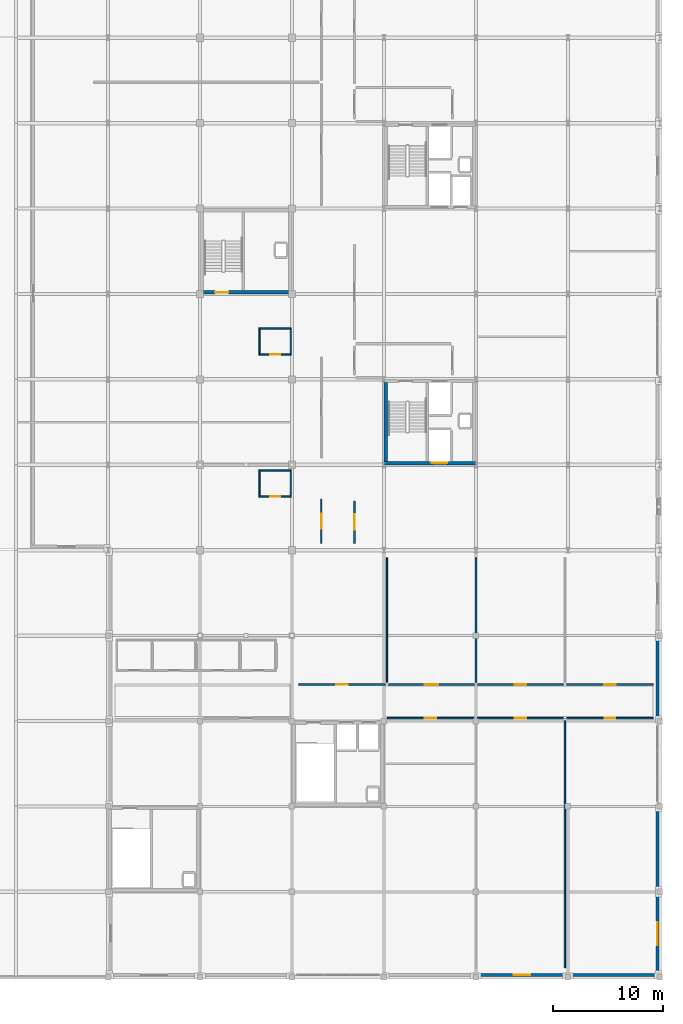
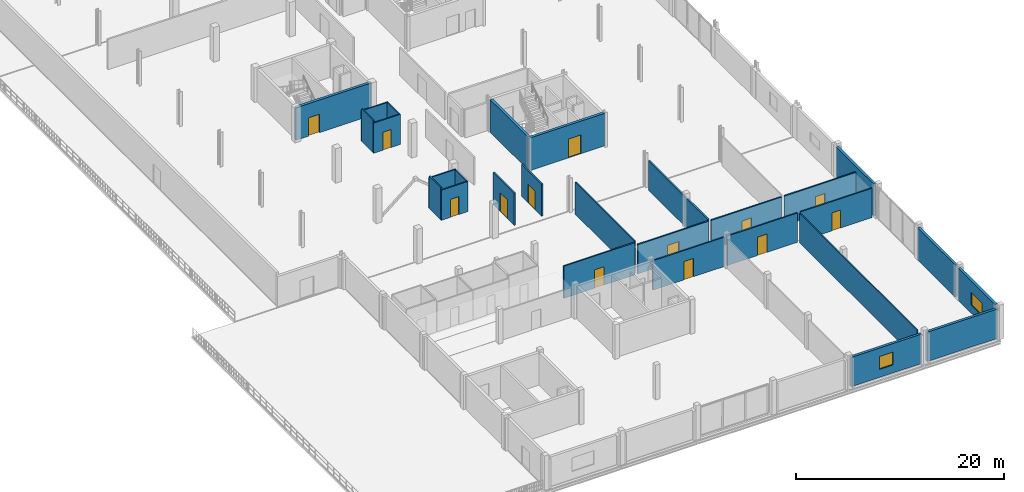
# One storey, part 29 of 41: 28 walls, 13 doors, 2 windows, 15 openings.
"""IFC4 building model written with IfcOpenShell, lengths in metres."""

from ifc_helpers import new_model, si_unit, direction, frame, frame_2d, origin, place, context, subcontext, project, spatial, rectangle, extrude, material, layer, layer_set, type_object, element, fill, save


model = new_model("IFC4")

# Units and contexts
model_context = context("Model", 3, precision=1e-05, world=origin(), true_north=direction((0.0, 1.0)))
body_context = subcontext(model_context, "Body", "Model", "MODEL_VIEW")
ifc_project = project(units=[si_unit("LENGTHUNIT", "METRE"), si_unit("AREAUNIT", "SQUARE_METRE"), si_unit("VOLUMEUNIT", "CUBIC_METRE"), si_unit("PLANEANGLEUNIT", "RADIAN"), si_unit("MASSUNIT", "GRAM", prefix="KILO")], contexts=[model_context])

# Site, building, storey
site_placement = place(None, origin())
site = spatial("IfcSite", under=ifc_project, at=site_placement, CompositionType="ELEMENT")
building_placement = place(site_placement, origin())
building = spatial("IfcBuilding", under=site, at=building_placement, Name="Nabrawat Pavilion Hospital", CompositionType="ELEMENT")
storey_placement = place(building_placement, frame((0.0, 0.0, 18.89990234375)))
storey = spatial("IfcBuildingStorey", under=building, at=storey_placement, Name="L04", CompositionType="ELEMENT", Elevation=18.89990234375)

# Wall
ifc_material_1 = material(Name="Epoxy-Coated Gypsum on Stud", Category="gypsum")
ifc_layer_1 = layer(ifc_material_1, 0.169921875, Name="Epoxy-Coated Gypsum on Stud")
ifc_layer_set_1 = layer_set([ifc_layer_1], Name="Epoxy-Coated Gypsum on Stud")
wall_type_1 = type_object("IfcWallType", Name="Biosafety Laboratory Chemical Wall 170", PredefinedType="PARTITIONING", material=ifc_layer_set_1)
wall_1_placement = place(storey_placement, frame((176.39990234375, 26.9599609375, 0.0), z_axis=(0.0, 0.0, 1.0), x_axis=(0.0, 1.0, 0.0)))
element("IfcWall", 1, at=wall_1_placement, inside=storey, type_object=wall_type_1, Name="L04 Point-of-Care Rapid Diagnostics Lab L04-06 Dividing Partition", PredefinedType="PARTITIONING", context=body_context, shape_type="SweptSolid", body=[
    extrude(rectangle(XDim=11.35009765625, YDim=0.169921875, at=frame_2d((5.675048828125, 0.0))), origin(), (0.0, 0.0, 1.0), 3.440185546875),
])

# Wall, opening, door
ifc_material_2 = material(Name="Gypsum Fireboard on Steel Stud", Category="steel")
ifc_layer_2 = layer(ifc_material_2, 0.14990234375, Name="Gypsum Fireboard on Steel Stud")
ifc_layer_set_2 = layer_set([ifc_layer_2], Name="Gypsum Fireboard on Steel Stud")
wall_type_2 = type_object("IfcWallType", Name="Clinical Corridor Smoke-Barrier Wall 150", PredefinedType="PARTITIONING", material=ifc_layer_set_2)
wall_2_placement = place(storey_placement, frame((168.320068359375, 23.659912109375, 0.0), z_axis=(0.0, 0.0, 1.0), x_axis=(1.0, 0.0, 0.0)))
wall_2 = element("IfcWall", 2, at=wall_2_placement, inside=storey, type_object=wall_type_2, Name="L04 Outpatient Clinic Women Wellness Suite L04-02 Front Partition", PredefinedType="PARTITIONING", context=body_context, shape_type="SweptSolid", body=[
    extrude(rectangle(XDim=7.89990234375, YDim=0.14990234375, at=frame_2d((3.949951171875, 0.0))), origin(), (0.0, 0.0, 1.0), 3.440185546875),
])
opening_1_placement = place(wall_2_placement, frame((3.425048828125, 0.0, 0.0)))
opening_1 = element("IfcOpeningElement", 3, at=opening_1_placement, cuts=wall_2, Name="Opening D-OPC-R", PredefinedType="OPENING", context=body_context, shape_type="SweptSolid", body=[
    extrude(rectangle(XDim=1.050048828125, YDim=2.14990234375, at=frame_2d((0.52490234375, 1.074951171875))), frame((0.0, 0.0849609375, 0.0), z_axis=(0.0, -1.0, 0.0), x_axis=(1.0, 0.0, 0.0)), (0.0, 0.0, 1.0), 0.169921875),
])
ifc_material_3 = material(Name="Stainless-Clad Acoustic Timber and Vision Glass", Category="wood")
door_type_1 = type_object("IfcDoorType", Name="Outpatient Clinic Consultation Door R 1050x2150", OperationType="NOTDEFINED", PredefinedType="DOOR", material=ifc_material_3)
door_1_placement = place(opening_1_placement, origin())
door_1 = element("IfcDoor", 4, at=door_1_placement, inside=storey, type_object=door_type_1, Name="Outpatient Clinic Women Wellness Suite L04-02 Door", OperationType="SINGLE_SWING_LEFT", OverallHeight=2.14990234375, OverallWidth=1.050048828125, PredefinedType="DOOR", context=body_context, shape_type="SweptSolid", body=[
    extrude(rectangle(XDim=1.050048828125, YDim=2.14990234375, at=frame_2d((0.52490234375, 1.074951171875))), frame((0.0, 0.02490234375, 0.0), z_axis=(0.0, -1.0, 0.0), x_axis=(1.0, 0.0, 0.0)), (0.0, 0.0, 1.0), 0.050048828125),
])
fill(opening_1, door_1)

wall_3_placement = place(storey_placement, frame((176.5400390625, 23.659912109375, 0.0), z_axis=(0.0, 0.0, 1.0), x_axis=(1.0, 0.0, 0.0)))
wall_3 = element("IfcWall", 5, at=wall_3_placement, inside=storey, type_object=wall_type_2, Name="L04 Outpatient Clinic Immunisation Room L04-03 Front Partition", PredefinedType="PARTITIONING", context=body_context, shape_type="SweptSolid", body=[
    extrude(rectangle(XDim=7.820068359375, YDim=0.14990234375, at=frame_2d((3.91015625, 0.0))), origin(), (0.0, 0.0, 1.0), 3.440185546875),
])
opening_2_placement = place(wall_3_placement, frame((3.385009765625, 0.0, 0.0)))
opening_2 = element("IfcOpeningElement", 6, at=opening_2_placement, cuts=wall_3, Name="Opening D-OPC-L", PredefinedType="OPENING", context=body_context, shape_type="SweptSolid", body=[
    extrude(rectangle(XDim=1.050048828125, YDim=2.14990234375, at=frame_2d((0.52490234375, 1.074951171875))), frame((0.0, 0.0849609375, 0.0), z_axis=(0.0, -1.0, 0.0), x_axis=(1.0, 0.0, 0.0)), (0.0, 0.0, 1.0), 0.169921875),
])
door_type_2 = type_object("IfcDoorType", Name="Outpatient Clinic Consultation Door L 1050x2150", OperationType="NOTDEFINED", PredefinedType="DOOR", material=ifc_material_3)
door_2_placement = place(opening_2_placement, origin())
door_2 = element("IfcDoor", 7, at=door_2_placement, inside=storey, type_object=door_type_2, Name="Outpatient Clinic Immunisation Room L04-03 Door", OperationType="SINGLE_SWING_RIGHT", OverallHeight=2.14990234375, OverallWidth=1.050048828125, PredefinedType="DOOR", context=body_context, shape_type="SweptSolid", body=[
    extrude(rectangle(XDim=1.050048828125, YDim=2.14990234375, at=frame_2d((0.52490234375, 1.074951171875))), frame((0.0, 0.02490234375, 0.0), z_axis=(0.0, -1.0, 0.0), x_axis=(1.0, 0.0, 0.0)), (0.0, 0.0, 1.0), 0.050048828125),
])
fill(opening_2, door_2)

wall_4_placement = place(storey_placement, frame((184.679931640625, 23.659912109375, 0.0), z_axis=(0.0, 0.0, 1.0), x_axis=(1.0, 0.0, 0.0)))
wall_4 = element("IfcWall", 8, at=wall_4_placement, inside=storey, type_object=wall_type_2, Name="L04 Telemedicine Specialist Consultation Studio L04-04 Front Partition", PredefinedType="PARTITIONING", context=body_context, shape_type="SweptSolid", body=[
    extrude(rectangle(XDim=7.900146484375, YDim=0.14990234375, at=frame_2d((3.9501953125, 0.0))), origin(), (0.0, 0.0, 1.0), 3.440185546875),
])
opening_3_placement = place(wall_4_placement, frame((3.47509765625, 0.0, 0.0)))
opening_3 = element("IfcOpeningElement", 9, at=opening_3_placement, cuts=wall_4, Name="Opening D-ADM", PredefinedType="OPENING", context=body_context, shape_type="SweptSolid", body=[
    extrude(rectangle(XDim=0.949951171875, YDim=2.10009765625, at=frame_2d((0.47509765625, 1.050048828125))), frame((0.0, 0.0849609375, 0.0), z_axis=(0.0, -1.0, 0.0), x_axis=(1.0, 0.0, 0.0)), (0.0, 0.0, 1.0), 0.169921875),
])
door_type_3 = type_object("IfcDoorType", Name="Clinical Office Acoustic Door 950x2100", OperationType="NOTDEFINED", PredefinedType="DOOR", material=ifc_material_3)
door_3_placement = place(opening_3_placement, origin())
door_3 = element("IfcDoor", 10, at=door_3_placement, inside=storey, type_object=door_type_3, Name="Telemedicine Specialist Consultation Studio L04-04 Door", OperationType="SINGLE_SWING_LEFT", OverallHeight=2.10009765625, OverallWidth=0.949951171875, PredefinedType="DOOR", context=body_context, shape_type="SweptSolid", body=[
    extrude(rectangle(XDim=0.949951171875, YDim=2.10009765625, at=frame_2d((0.47509765625, 1.050048828125))), frame((0.0, 0.02490234375, 0.0), z_axis=(0.0, -1.0, 0.0), x_axis=(1.0, 0.0, 0.0)), (0.0, 0.0, 1.0), 0.050048828125),
])
fill(opening_3, door_3)

wall_5_placement = place(storey_placement, frame((160.219970703125, 26.739990234375, 0.0), z_axis=(0.0, 0.0, 1.0), x_axis=(1.0, 0.0, 0.0)))
wall_5 = element("IfcWall", 11, at=wall_5_placement, inside=storey, type_object=wall_type_2, Name="L04 Pain Management Fluoroscopy Procedure Room L04-05 Front Partition", PredefinedType="PARTITIONING", context=body_context, shape_type="SweptSolid", body=[
    extrude(rectangle(XDim=7.89013671875, YDim=0.14990234375, at=frame_2d((3.945068359375, 0.0))), origin(), (0.0, 0.0, 1.0), 3.77001953125),
])
opening_4_placement = place(wall_5_placement, frame((3.419921875, 0.0, 0.0)))
opening_4 = element("IfcOpeningElement", 12, at=opening_4_placement, cuts=wall_5, Name="Opening D-OPC-L", PredefinedType="OPENING", context=body_context, shape_type="SweptSolid", body=[
    extrude(rectangle(XDim=1.050048828125, YDim=2.14990234375, at=frame_2d((0.52490234375, 1.074951171875))), frame((0.0, 0.0849609375, 0.0), z_axis=(0.0, -1.0, 0.0), x_axis=(1.0, 0.0, 0.0)), (0.0, 0.0, 1.0), 0.169921875),
])
door_4_placement = place(opening_4_placement, origin())
door_4 = element("IfcDoor", 13, at=door_4_placement, inside=storey, type_object=door_type_2, Name="Pain Management Fluoroscopy Procedure Room L04-05 Door", OperationType="SINGLE_SWING_RIGHT", OverallHeight=2.14990234375, OverallWidth=1.050048828125, PredefinedType="DOOR", context=body_context, shape_type="SweptSolid", body=[
    extrude(rectangle(XDim=1.050048828125, YDim=2.14990234375, at=frame_2d((0.52490234375, 1.074951171875))), frame((0.0, 0.02490234375, 0.0), z_axis=(0.0, -1.0, 0.0), x_axis=(1.0, 0.0, 0.0)), (0.0, 0.0, 1.0), 0.050048828125),
])
fill(opening_4, door_4)

wall_6_placement = place(storey_placement, frame((168.429931640625, 26.739990234375, 0.0), z_axis=(0.0, 0.0, 1.0), x_axis=(1.0, 0.0, 0.0)))
wall_6 = element("IfcWall", 14, at=wall_6_placement, inside=storey, type_object=wall_type_2, Name="L04 Point-of-Care Rapid Diagnostics Lab L04-06 Front Partition", PredefinedType="PARTITIONING", context=body_context, shape_type="SweptSolid", body=[
    extrude(rectangle(XDim=7.81005859375, YDim=0.14990234375, at=frame_2d((3.905029296875, 0.0))), origin(), (0.0, 0.0, 1.0), 3.440185546875),
])
opening_5_placement = place(wall_6_placement, frame((3.280029296875, 0.0, 0.0)))
opening_5 = element("IfcOpeningElement", 15, at=opening_5_placement, cuts=wall_6, Name="Opening D-LAB", PredefinedType="OPENING", context=body_context, shape_type="SweptSolid", body=[
    extrude(rectangle(XDim=1.25, YDim=2.199951171875, at=frame_2d((0.625, 1.10009765625))), frame((0.0, 0.0849609375, 0.0), z_axis=(0.0, -1.0, 0.0), x_axis=(1.0, 0.0, 0.0)), (0.0, 0.0, 1.0), 0.169921875),
])
door_type_4 = type_object("IfcDoorType", Name="Laboratory Containment Vision-Panel Door 1250x2200", OperationType="NOTDEFINED", PredefinedType="DOOR", material=ifc_material_3)
door_5_placement = place(opening_5_placement, origin())
door_5 = element("IfcDoor", 16, at=door_5_placement, inside=storey, type_object=door_type_4, Name="Point-of-Care Rapid Diagnostics Lab L04-06 Door", OperationType="SINGLE_SWING_LEFT", OverallHeight=2.199951171875, OverallWidth=1.25, PredefinedType="DOOR", context=body_context, shape_type="SweptSolid", body=[
    extrude(rectangle(XDim=1.25, YDim=2.199951171875, at=frame_2d((0.625, 1.10009765625))), frame((0.0, 0.02490234375, 0.0), z_axis=(0.0, -1.0, 0.0), x_axis=(1.0, 0.0, 0.0)), (0.0, 0.0, 1.0), 0.050048828125),
])
fill(opening_5, door_5)

wall_7_placement = place(storey_placement, frame((176.56005859375, 26.739990234375, 0.0), z_axis=(0.0, 0.0, 1.0), x_axis=(1.0, 0.0, 0.0)))
wall_7 = element("IfcWall", 17, at=wall_7_placement, inside=storey, type_object=wall_type_2, Name="L04 Outpatient Clinic Executive Screening Suite L04-07 Front Partition", PredefinedType="PARTITIONING", context=body_context, shape_type="SweptSolid", body=[
    extrude(rectangle(XDim=7.81005859375, YDim=0.14990234375, at=frame_2d((3.905029296875, 0.0))), origin(), (0.0, 0.0, 1.0), 3.440185546875),
])
opening_6_placement = place(wall_7_placement, frame((3.3798828125, 0.0, 0.0)))
opening_6 = element("IfcOpeningElement", 18, at=opening_6_placement, cuts=wall_7, Name="Opening D-OPC-L", PredefinedType="OPENING", context=body_context, shape_type="SweptSolid", body=[
    extrude(rectangle(XDim=1.050048828125, YDim=2.14990234375, at=frame_2d((0.52490234375, 1.074951171875))), frame((0.0, 0.0849609375, 0.0), z_axis=(0.0, -1.0, 0.0), x_axis=(1.0, 0.0, 0.0)), (0.0, 0.0, 1.0), 0.169921875),
])
door_6_placement = place(opening_6_placement, origin())
door_6 = element("IfcDoor", 19, at=door_6_placement, inside=storey, type_object=door_type_2, Name="Outpatient Clinic Executive Screening Suite L04-07 Door", OperationType="SINGLE_SWING_RIGHT", OverallHeight=2.14990234375, OverallWidth=1.050048828125, PredefinedType="DOOR", context=body_context, shape_type="SweptSolid", body=[
    extrude(rectangle(XDim=1.050048828125, YDim=2.14990234375, at=frame_2d((0.52490234375, 1.074951171875))), frame((0.0, 0.02490234375, 0.0), z_axis=(0.0, -1.0, 0.0), x_axis=(1.0, 0.0, 0.0)), (0.0, 0.0, 1.0), 0.050048828125),
])
fill(opening_6, door_6)

wall_8_placement = place(storey_placement, frame((184.68994140625, 26.739990234375, 0.0), z_axis=(0.0, 0.0, 1.0), x_axis=(1.0, 0.0, 0.0)))
wall_8 = element("IfcWall", 20, at=wall_8_placement, inside=storey, type_object=wall_type_2, Name="L04 Outpatient Clinic Women Wellness Suite L04-08 Front Partition", PredefinedType="PARTITIONING", context=body_context, shape_type="SweptSolid", body=[
    extrude(rectangle(XDim=7.89013671875, YDim=0.14990234375, at=frame_2d((3.945068359375, 0.0))), origin(), (0.0, 0.0, 1.0), 3.440185546875),
])
opening_7_placement = place(wall_8_placement, frame((3.419921875, 0.0, 0.0)))
opening_7 = element("IfcOpeningElement", 21, at=opening_7_placement, cuts=wall_8, Name="Opening D-OPC-R", PredefinedType="OPENING", context=body_context, shape_type="SweptSolid", body=[
    extrude(rectangle(XDim=1.050048828125, YDim=2.14990234375, at=frame_2d((0.52490234375, 1.074951171875))), frame((0.0, 0.0849609375, 0.0), z_axis=(0.0, -1.0, 0.0), x_axis=(1.0, 0.0, 0.0)), (0.0, 0.0, 1.0), 0.169921875),
])
door_7_placement = place(opening_7_placement, origin())
door_7 = element("IfcDoor", 22, at=door_7_placement, inside=storey, type_object=door_type_1, Name="Outpatient Clinic Women Wellness Suite L04-08 Door", OperationType="SINGLE_SWING_LEFT", OverallHeight=2.14990234375, OverallWidth=1.050048828125, PredefinedType="DOOR", context=body_context, shape_type="SweptSolid", body=[
    extrude(rectangle(XDim=1.050048828125, YDim=2.14990234375, at=frame_2d((0.52490234375, 1.074951171875))), frame((0.0, 0.02490234375, 0.0), z_axis=(0.0, -1.0, 0.0), x_axis=(1.0, 0.0, 0.0)), (0.0, 0.0, 1.0), 0.050048828125),
])
fill(opening_7, door_7)

wall_9_placement = place(storey_placement, frame((162.284912109375, 39.6201171875, 0.0), z_axis=(0.0, 0.0, 1.0), x_axis=(0.0, 1.0, 0.0)))
wall_9 = element("IfcWall", 23, at=wall_9_placement, inside=storey, type_object=wall_type_2, Name="L04 Inpatient Ward Paediatric Parent-Child Bedroom L04-01 Front Partition", PredefinedType="PARTITIONING", context=body_context, shape_type="SweptSolid", body=[
    extrude(rectangle(XDim=4.0498046875, YDim=0.14990234375, at=frame_2d((2.02490234375, 0.0))), origin(), (0.0, 0.0, 1.0), 3.77001953125),
])
opening_8_placement = place(wall_9_placement, frame((1.324951171875, 0.0, 0.0)))
opening_8 = element("IfcOpeningElement", 24, at=opening_8_placement, cuts=wall_9, Name="Opening D-BED", PredefinedType="OPENING", context=body_context, shape_type="SweptSolid", body=[
    extrude(rectangle(XDim=1.39990234375, YDim=2.199951171875, at=frame_2d((0.699951171875, 1.10009765625))), frame((0.0, 0.0849609375, 0.0), z_axis=(0.0, -1.0, 0.0), x_axis=(1.0, 0.0, 0.0)), (0.0, 0.0, 1.0), 0.169921875),
])
door_type_5 = type_object("IfcDoorType", Name="D-BED Inpatient Ward Leaf-and-a-Half Door 1400x2200", OperationType="NOTDEFINED", PredefinedType="DOOR", material=ifc_material_3)
door_8_placement = place(opening_8_placement, origin())
door_8 = element("IfcDoor", 25, at=door_8_placement, inside=storey, type_object=door_type_5, Name="Inpatient Ward Paediatric Parent-Child Bedroom L04-01 Door", OperationType="SINGLE_SWING_RIGHT", OverallHeight=2.199951171875, OverallWidth=1.39990234375, PredefinedType="DOOR", context=body_context, shape_type="SweptSolid", body=[
    extrude(rectangle(XDim=1.39990234375, YDim=2.199951171875, at=frame_2d((0.699951171875, 1.10009765625))), frame((0.0, 0.02490234375, 0.0), z_axis=(0.0, -1.0, 0.0), x_axis=(1.0, 0.0, 0.0)), (0.0, 0.0, 1.0), 0.050048828125),
])
fill(opening_8, door_8)

wall_10_placement = place(storey_placement, frame((165.31494140625, 39.6201171875, 0.0), z_axis=(0.0, 0.0, 1.0), x_axis=(0.0, 1.0, 0.0)))
wall_10 = element("IfcWall", 26, at=wall_10_placement, inside=storey, type_object=wall_type_2, Name="L04 Inpatient Ward Orthopaedic Recovery Bedroom L04-08 Front Partition", PredefinedType="PARTITIONING", context=body_context, shape_type="SweptSolid", body=[
    extrude(rectangle(XDim=3.8798828125, YDim=0.14990234375, at=frame_2d((1.93994140625, 0.0))), origin(), (0.0, 0.0, 1.0), 3.77001953125),
])
opening_9_placement = place(wall_10_placement, frame((1.239990234375, 0.0, 0.0)))
opening_9 = element("IfcOpeningElement", 27, at=opening_9_placement, cuts=wall_10, Name="Opening D-BED", PredefinedType="OPENING", context=body_context, shape_type="SweptSolid", body=[
    extrude(rectangle(XDim=1.39990234375, YDim=2.199951171875, at=frame_2d((0.699951171875, 1.10009765625))), frame((0.0, 0.0849609375, 0.0), z_axis=(0.0, -1.0, 0.0), x_axis=(1.0, 0.0, 0.0)), (0.0, 0.0, 1.0), 0.169921875),
])
door_9_placement = place(opening_9_placement, origin())
door_9 = element("IfcDoor", 28, at=door_9_placement, inside=storey, type_object=door_type_5, Name="Inpatient Ward Orthopaedic Recovery Bedroom L04-08 Door", OperationType="SINGLE_SWING_RIGHT", OverallHeight=2.199951171875, OverallWidth=1.39990234375, PredefinedType="DOOR", context=body_context, shape_type="SweptSolid", body=[
    extrude(rectangle(XDim=1.39990234375, YDim=2.199951171875, at=frame_2d((0.699951171875, 1.10009765625))), frame((0.0, 0.02490234375, 0.0), z_axis=(0.0, -1.0, 0.0), x_axis=(1.0, 0.0, 0.0)), (0.0, 0.0, 1.0), 0.050048828125),
])
fill(opening_9, door_9)

ifc_material_4 = material(Name="Cement Board on Steel Stud", Category="steel")
ifc_layer_3 = layer(ifc_material_4, 0.1298828125, Name="Cement Board on Steel Stud")
ifc_layer_set_3 = layer_set([ifc_layer_3], Name="Cement Board on Steel Stud")
wall_type_3 = type_object("IfcWallType", Name="En-Suite Moisture-Resistant Partition 130", PredefinedType="PARTITIONING", material=ifc_layer_set_3)
wall_11_placement = place(storey_placement, frame((156.570068359375, 43.909912109375, 0.0), z_axis=(0.0, 0.0, 1.0), x_axis=(1.0, 0.0, 0.0)))
wall_11 = element("IfcWall", 29, at=wall_11_placement, inside=storey, type_object=wall_type_3, Name="L04 En-Suite Bathroom WRD-PED-01 Front Partition", PredefinedType="PARTITIONING", context=body_context, shape_type="SweptSolid", body=[
    extrude(rectangle(XDim=2.97998046875, YDim=0.1298828125, at=frame_2d((1.489990234375, 0.0))), origin(), (0.0, 0.0, 1.0), 3.530029296875),
])
opening_10_placement = place(wall_11_placement, frame((1.0400390625, 0.0, 0.0)))
opening_10 = element("IfcOpeningElement", 30, at=opening_10_placement, cuts=wall_11, Name="Opening D-ENS-R", PredefinedType="OPENING", context=body_context, shape_type="SweptSolid", body=[
    extrude(rectangle(XDim=0.89990234375, YDim=2.10009765625, at=frame_2d((0.449951171875, 1.050048828125))), frame((0.0, 0.074951171875, 0.0), z_axis=(0.0, -1.0, 0.0), x_axis=(1.0, 0.0, 0.0)), (0.0, 0.0, 1.0), 0.14990234375),
])
door_type_6 = type_object("IfcDoorType", Name="En-Suite Bathroom Outward Door R 900x2100", OperationType="NOTDEFINED", PredefinedType="DOOR", material=ifc_material_3)
door_10_placement = place(opening_10_placement, origin())
door_10 = element("IfcDoor", 31, at=door_10_placement, inside=storey, type_object=door_type_6, Name="En-Suite Bathroom WRD-PED-01 Door", OperationType="SINGLE_SWING_LEFT", OverallHeight=2.10009765625, OverallWidth=0.89990234375, PredefinedType="DOOR", context=body_context, shape_type="SweptSolid", body=[
    extrude(rectangle(XDim=0.89990234375, YDim=2.10009765625, at=frame_2d((0.449951171875, 1.050048828125))), frame((0.0, 0.02490234375, 0.0), z_axis=(0.0, -1.0, 0.0), x_axis=(1.0, 0.0, 0.0)), (0.0, 0.0, 1.0), 0.050048828125),
])
fill(opening_10, door_10)

# Walls
wall_12_placement = place(storey_placement, frame((156.570068359375, 46.260009765625, 0.0), z_axis=(0.0, 0.0, 1.0), x_axis=(1.0, 0.0, 0.0)))
element("IfcWall", 32, at=wall_12_placement, inside=storey, type_object=wall_type_3, Name="L04 En-Suite Bathroom WRD-PED-01 North Partition", PredefinedType="PARTITIONING", context=body_context, shape_type="SweptSolid", body=[
    extrude(rectangle(XDim=2.97998046875, YDim=0.1298828125, at=frame_2d((1.489990234375, 0.0))), origin(), (0.0, 0.0, 1.0), 3.530029296875),
])
wall_13_placement = place(storey_placement, frame((156.635009765625, 43.97509765625, 0.0), z_axis=(0.0, 0.0, 1.0), x_axis=(0.0, 1.0, 0.0)))
element("IfcWall", 33, at=wall_13_placement, inside=storey, type_object=wall_type_3, Name="L04 En-Suite Bathroom WRD-PED-01 West Partition", PredefinedType="PARTITIONING", context=body_context, shape_type="SweptSolid", body=[
    extrude(rectangle(XDim=2.219970703125, YDim=0.1298828125, at=frame_2d((1.10986328125, 0.0))), origin(), (0.0, 0.0, 1.0), 3.77001953125),
])
wall_14_placement = place(storey_placement, frame((159.485107421875, 43.97509765625, 0.0), z_axis=(0.0, 0.0, 1.0), x_axis=(0.0, 1.0, 0.0)))
element("IfcWall", 34, at=wall_14_placement, inside=storey, type_object=wall_type_3, Name="L04 En-Suite Bathroom WRD-PED-01 East Partition", PredefinedType="PARTITIONING", context=body_context, shape_type="SweptSolid", body=[
    extrude(rectangle(XDim=2.219970703125, YDim=0.1298828125, at=frame_2d((1.10986328125, 0.0))), origin(), (0.0, 0.0, 1.0), 3.530029296875),
])

# Wall, opening, door
wall_15_placement = place(storey_placement, frame((156.570068359375, 56.8798828125, 0.0), z_axis=(0.0, 0.0, 1.0), x_axis=(1.0, 0.0, 0.0)))
wall_15 = element("IfcWall", 35, at=wall_15_placement, inside=storey, type_object=wall_type_3, Name="L04 En-Suite Bathroom WRD-ORT-02 Front Partition", PredefinedType="PARTITIONING", context=body_context, shape_type="SweptSolid", body=[
    extrude(rectangle(XDim=2.97998046875, YDim=0.1298828125, at=frame_2d((1.489990234375, 0.0))), origin(), (0.0, 0.0, 1.0), 3.530029296875),
])
opening_11_placement = place(wall_15_placement, frame((1.0400390625, 0.0, 0.0)))
opening_11 = element("IfcOpeningElement", 36, at=opening_11_placement, cuts=wall_15, Name="Opening D-ENS-R", PredefinedType="OPENING", context=body_context, shape_type="SweptSolid", body=[
    extrude(rectangle(XDim=0.89990234375, YDim=2.10009765625, at=frame_2d((0.449951171875, 1.050048828125))), frame((0.0, 0.074951171875, 0.0), z_axis=(0.0, -1.0, 0.0), x_axis=(1.0, 0.0, 0.0)), (0.0, 0.0, 1.0), 0.14990234375),
])
door_11_placement = place(opening_11_placement, origin())
door_11 = element("IfcDoor", 37, at=door_11_placement, inside=storey, type_object=door_type_6, Name="En-Suite Bathroom WRD-ORT-02 Door", OperationType="SINGLE_SWING_LEFT", OverallHeight=2.10009765625, OverallWidth=0.89990234375, PredefinedType="DOOR", context=body_context, shape_type="SweptSolid", body=[
    extrude(rectangle(XDim=0.89990234375, YDim=2.10009765625, at=frame_2d((0.449951171875, 1.050048828125))), frame((0.0, 0.02490234375, 0.0), z_axis=(0.0, -1.0, 0.0), x_axis=(1.0, 0.0, 0.0)), (0.0, 0.0, 1.0), 0.050048828125),
])
fill(opening_11, door_11)

# Walls
wall_16_placement = place(storey_placement, frame((156.570068359375, 59.22998046875, 0.0), z_axis=(0.0, 0.0, 1.0), x_axis=(1.0, 0.0, 0.0)))
element("IfcWall", 38, at=wall_16_placement, inside=storey, type_object=wall_type_3, Name="L04 En-Suite Bathroom WRD-ORT-02 North Partition", PredefinedType="PARTITIONING", context=body_context, shape_type="SweptSolid", body=[
    extrude(rectangle(XDim=2.97998046875, YDim=0.1298828125, at=frame_2d((1.489990234375, 0.0))), origin(), (0.0, 0.0, 1.0), 3.530029296875),
])
wall_17_placement = place(storey_placement, frame((156.635009765625, 56.945068359375, 0.0), z_axis=(0.0, 0.0, 1.0), x_axis=(0.0, 1.0, 0.0)))
element("IfcWall", 39, at=wall_17_placement, inside=storey, type_object=wall_type_3, Name="L04 En-Suite Bathroom WRD-ORT-02 West Partition", PredefinedType="PARTITIONING", context=body_context, shape_type="SweptSolid", body=[
    extrude(rectangle(XDim=2.219970703125, YDim=0.1298828125, at=frame_2d((1.10986328125, 0.0))), origin(), (0.0, 0.0, 1.0), 3.77001953125),
])
wall_18_placement = place(storey_placement, frame((159.485107421875, 56.945068359375, 0.0), z_axis=(0.0, 0.0, 1.0), x_axis=(0.0, 1.0, 0.0)))
element("IfcWall", 40, at=wall_18_placement, inside=storey, type_object=wall_type_3, Name="L04 En-Suite Bathroom WRD-ORT-02 East Partition", PredefinedType="PARTITIONING", context=body_context, shape_type="SweptSolid", body=[
    extrude(rectangle(XDim=2.219970703125, YDim=0.1298828125, at=frame_2d((1.10986328125, 0.0))), origin(), (0.0, 0.0, 1.0), 3.530029296875),
])

# Wall, opening, window
ifc_material_5 = material(Name="Precast concrete C40/50", Category="concrete")
ifc_layer_4 = layer(ifc_material_5, 0.280029296875, Name="Precast concrete C40/50")
ifc_layer_set_4 = layer_set([ifc_layer_4], Name="Precast concrete C40/50")
wall_type_4 = type_object("IfcWallType", Name="Insulated Precast Facade Wall 280", PredefinedType="SOLIDWALL", material=ifc_layer_set_4)
wall_19_placement = place(storey_placement, frame((176.699951171875, 0.219970703125, 0.0), z_axis=(0.0, 0.0, 1.0), x_axis=(1.0, 0.0, 0.0)))
wall_19 = element("IfcWall", 41, at=wall_19_placement, inside=storey, type_object=wall_type_4, Name="L04 Insulated Precast Facade Wall 280 366", PredefinedType="SOLIDWALL", context=body_context, shape_type="SweptSolid", body=[
    extrude(rectangle(XDim=7.800048828125, YDim=0.280029296875, at=frame_2d((3.89990234375, 0.0))), origin(), (0.0, 0.0, 1.0), 3.440185546875),
])
opening_12_placement = place(wall_19_placement, frame((3.14990234375, 0.0, 0.949951171875)))
opening_12 = element("IfcOpeningElement", 42, at=opening_12_placement, cuts=wall_19, Name="Opening WN-04", PredefinedType="OPENING", context=body_context, shape_type="SweptSolid", body=[
    extrude(rectangle(XDim=1.5, YDim=1.5, at=frame_2d((0.75, 0.75))), frame((0.0, 0.14990234375, 0.0), z_axis=(0.0, -1.0, 0.0), x_axis=(1.0, 0.0, 0.0)), (0.0, 0.0, 1.0), 0.300048828125),
])
ifc_material_6 = material(Name="Thermally Broken Aluminium and Solar Glass", Category="aluminium")
window_type_1 = type_object("IfcWindowType", Name="Outpatient Consultation Window 1500x1500", PartitioningType="SINGLE_PANEL", PredefinedType="WINDOW", material=ifc_material_6)
window_1_placement = place(opening_12_placement, origin())
window_1 = element("IfcWindow", 43, at=window_1_placement, inside=storey, type_object=window_type_1, Name="L04 Outpatient Consultation Window 1500x1500 132", OverallHeight=1.5, OverallWidth=1.5, PartitioningType="SINGLE_PANEL", PredefinedType="WINDOW", context=body_context, shape_type="SweptSolid", body=[
    extrude(rectangle(XDim=1.5, YDim=1.5, at=frame_2d((0.75, 0.75))), frame((0.0, 0.030029296875, 0.0), z_axis=(0.0, -1.0, 0.0), x_axis=(1.0, 0.0, 0.0)), (0.0, 0.0, 1.0), 0.06005859375),
])
fill(opening_12, window_1)

# Wall
wall_20_placement = place(storey_placement, frame((185.10009765625, 0.219970703125, 0.0), z_axis=(0.0, 0.0, 1.0), x_axis=(1.0, 0.0, 0.0)))
element("IfcWall", 44, at=wall_20_placement, inside=storey, type_object=wall_type_4, Name="L04 Insulated Precast Facade Wall 280 367", PredefinedType="SOLIDWALL", context=body_context, shape_type="SweptSolid", body=[
    extrude(rectangle(XDim=7.7998046875, YDim=0.280029296875, at=frame_2d((3.89990234375, 0.0))), origin(), (0.0, 0.0, 1.0), 3.440185546875),
])

# Wall, opening, window
wall_21_placement = place(storey_placement, frame((192.97998046875, 0.43994140625, 0.0), z_axis=(0.0, 0.0, 1.0), x_axis=(0.0, 1.0, 0.0)))
wall_21 = element("IfcWall", 45, at=wall_21_placement, inside=storey, type_object=wall_type_4, Name="L04 Insulated Precast Facade Wall 280 368", PredefinedType="SOLIDWALL", context=body_context, shape_type="SweptSolid", body=[
    extrude(rectangle(XDim=7.06005859375, YDim=0.280029296875, at=frame_2d((3.530029296875, 0.0))), origin(), (0.0, 0.0, 1.0), 3.77001953125),
])
opening_13_placement = place(wall_21_placement, frame((2.47998046875, 0.0, 0.949951171875)))
opening_13 = element("IfcOpeningElement", 46, at=opening_13_placement, cuts=wall_21, Name="Opening WN-05", PredefinedType="OPENING", context=body_context, shape_type="SweptSolid", body=[
    extrude(rectangle(XDim=2.10009765625, YDim=1.5, at=frame_2d((1.050048828125, 0.75))), frame((0.0, 0.14990234375, 0.0), z_axis=(0.0, -1.0, 0.0), x_axis=(1.0, 0.0, 0.0)), (0.0, 0.0, 1.0), 0.300048828125),
])
window_type_2 = type_object("IfcWindowType", Name="Outpatient Double Window 2100x1500", PartitioningType="SINGLE_PANEL", PredefinedType="WINDOW", material=ifc_material_6)
window_2_placement = place(opening_13_placement, origin())
window_2 = element("IfcWindow", 47, at=window_2_placement, inside=storey, type_object=window_type_2, Name="L04 Outpatient Double Window 2100x1500 133", OverallHeight=1.5, OverallWidth=2.10009765625, PartitioningType="SINGLE_PANEL", PredefinedType="WINDOW", context=body_context, shape_type="SweptSolid", body=[
    extrude(rectangle(XDim=2.10009765625, YDim=1.5, at=frame_2d((1.050048828125, 0.75))), frame((0.0, 0.030029296875, 0.0), z_axis=(0.0, -1.0, 0.0), x_axis=(1.0, 0.0, 0.0)), (0.0, 0.0, 1.0), 0.06005859375),
])
fill(opening_13, window_2)

# Walls
for number, where, z_axis, x_axis, name in (
    (48, (192.97998046875, 8.10009765625, 0.0), (0.0, 0.0, 1.0), (0.0, 1.0, 0.0), "L04 Insulated Precast Facade Wall 280 369"),
    (49, (192.97998046875, 23.699951171875, 0.0), (0.0, 0.0, 1.0), (0.0, 1.0, 0.0), "L04 Insulated Precast Facade Wall 280 370"),
):
    element("IfcWall", number, at=place(storey_placement, frame(where, z_axis=z_axis, x_axis=x_axis)), inside=storey, type_object=wall_type_4, Name=name, PredefinedType="SOLIDWALL", context=body_context, shape_type="SweptSolid", body=[
        extrude(rectangle(XDim=7.199951171875, YDim=0.280029296875, at=frame_2d((3.60009765625, 0.0))), origin(), (0.0, 0.0, 1.0), 3.77001953125),
    ])
ifc_material_7 = material(Name="Gypsum Plasterboard on Stud", Category="gypsum")
ifc_layer_5 = layer(ifc_material_7, 0.1201171875, Name="Gypsum Plasterboard on Stud")
ifc_layer_set_5 = layer_set([ifc_layer_5], Name="Gypsum Plasterboard on Stud")
wall_type_5 = type_object("IfcWallType", Name="Outpatient Consultation Partition 120", PredefinedType="PARTITIONING", material=ifc_layer_set_5)
wall_22_placement = place(storey_placement, frame((184.52001953125, 0.889892578125, 0.0), z_axis=(0.0, 0.0, 1.0), x_axis=(0.0, 1.0, 0.0)))
element("IfcWall", 50, at=wall_22_placement, inside=storey, type_object=wall_type_5, Name="L04 Outpatient Clinic Immunisation Room L04-03 Dividing Partition", PredefinedType="PARTITIONING", context=body_context, shape_type="SweptSolid", body=[
    extrude(rectangle(XDim=22.550048828125, YDim=0.1201171875, at=frame_2d((11.27490234375, 0.0))), origin(), (0.0, 0.0, 1.0), 3.440185546875),
])
wall_23_placement = place(storey_placement, frame((168.27001953125, 26.9599609375, 0.0), z_axis=(0.0, 0.0, 1.0), x_axis=(0.0, 1.0, 0.0)))
element("IfcWall", 51, at=wall_23_placement, inside=storey, type_object=wall_type_5, Name="L04 Pain Management Fluoroscopy Procedure Room L04-05 Dividing Partition", PredefinedType="PARTITIONING", context=body_context, shape_type="SweptSolid", body=[
    extrude(rectangle(XDim=11.35009765625, YDim=0.1201171875, at=frame_2d((5.675048828125, 0.0))), origin(), (0.0, 0.0, 1.0), 3.77001953125),
])

# Wall, opening, door
ifc_material_8 = material(Name="Concrete C40/50", Category="concrete")
ifc_layer_6 = layer(ifc_material_8, 0.300048828125, Name="Concrete C40/50")
ifc_layer_set_6 = layer_set([ifc_layer_6], Name="Concrete C40/50")
wall_type_6 = type_object("IfcWallType", Name="Reinforced Concrete Core Shear Wall 300", PredefinedType="SHEAR", material=ifc_layer_set_6)
wall_24_placement = place(storey_placement, frame((168.0, 46.949951171875, 0.0), z_axis=(0.0, 0.0, 1.0), x_axis=(1.0, 0.0, 0.0)))
wall_24 = element("IfcWall", 52, at=wall_24_placement, inside=storey, type_object=wall_type_6, Name="L04 CORE-5 South Core Shear Wall", PredefinedType="SHEAR", context=body_context, shape_type="SweptSolid", body=[
    extrude(rectangle(XDim=8.39990234375, YDim=0.300048828125, at=frame_2d((4.199951171875, 0.0))), origin(), (0.0, 0.0, 1.0), 3.820068359375),
])
opening_14_placement = place(wall_24_placement, frame((4.3798828125, 0.0, 0.0)))
opening_14 = element("IfcOpeningElement", 53, at=opening_14_placement, cuts=wall_24, Name="Opening LD-LB-03", PredefinedType="OPENING", context=body_context, shape_type="SweptSolid", body=[
    extrude(rectangle(XDim=1.39990234375, YDim=2.199951171875, at=frame_2d((0.699951171875, 1.10009765625))), frame((0.0, 0.16015625, 0.0), z_axis=(0.0, -1.0, 0.0), x_axis=(1.0, 0.0, 0.0)), (0.0, 0.0, 1.0), 0.320068359375),
])
door_type_7 = type_object("IfcDoorType", Name="Hospital Bed Lift Sliding Landing Door 1400x2200", OperationType="DOUBLE_DOOR_SLIDING", PredefinedType="DOOR", material=ifc_material_3)
door_12_placement = place(opening_14_placement, origin())
door_12 = element("IfcDoor", 54, at=door_12_placement, inside=storey, type_object=door_type_7, Name="L04 Lift LB-03 Sliding Landing Door", OperationType="DOUBLE_DOOR_SLIDING", OverallHeight=2.199951171875, OverallWidth=1.39990234375, PredefinedType="DOOR", context=body_context, shape_type="SweptSolid", body=[
    extrude(rectangle(XDim=1.39990234375, YDim=2.199951171875, at=frame_2d((0.699951171875, 1.10009765625))), frame((0.0, 0.02490234375, 0.0), z_axis=(0.0, -1.0, 0.0), x_axis=(1.0, 0.0, 0.0)), (0.0, 0.0, 1.0), 0.050048828125),
])
fill(opening_14, door_12)

# Wall
wall_25_placement = place(storey_placement, frame((168.14990234375, 47.10009765625, 0.0), z_axis=(0.0, 0.0, 1.0), x_axis=(0.0, 1.0, 0.0)))
element("IfcWall", 55, at=wall_25_placement, inside=storey, type_object=wall_type_6, Name="L04 CORE-5 West Core Shear Wall", PredefinedType="SHEAR", context=body_context, shape_type="SweptSolid", body=[
    extrude(rectangle(XDim=7.199951171875, YDim=0.300048828125, at=frame_2d((3.60009765625, 0.0))), origin(), (0.0, 0.0, 1.0), 3.820068359375),
])

# Wall, opening, door
wall_26_placement = place(storey_placement, frame((151.199951171875, 62.550048828125, 0.0), z_axis=(0.0, 0.0, 1.0), x_axis=(1.0, 0.0, 0.0)))
wall_26 = element("IfcWall", 56, at=wall_26_placement, inside=storey, type_object=wall_type_6, Name="L04 CORE-9 South Core Shear Wall", PredefinedType="SHEAR", context=body_context, shape_type="SweptSolid", body=[
    extrude(rectangle(XDim=8.400146484375, YDim=0.300048828125, at=frame_2d((4.2001953125, 0.0))), origin(), (0.0, 0.0, 1.0), 3.820068359375),
])
opening_15_placement = place(wall_26_placement, frame((1.3798828125, 0.0, 0.0)))
opening_15 = element("IfcOpeningElement", 57, at=opening_15_placement, cuts=wall_26, Name="Opening D-STAIR", PredefinedType="OPENING", context=body_context, shape_type="SweptSolid", body=[
    extrude(rectangle(XDim=1.199951171875, YDim=2.14990234375, at=frame_2d((0.60009765625, 1.074951171875))), frame((0.0, 0.16015625, 0.0), z_axis=(0.0, -1.0, 0.0), x_axis=(1.0, 0.0, 0.0)), (0.0, 0.0, 1.0), 0.320068359375),
])
door_type_8 = type_object("IfcDoorType", Name="D-STAIR Exit Stair Fire Door 1200x2150", OperationType="NOTDEFINED", PredefinedType="DOOR", material=ifc_material_3)
door_13_placement = place(opening_15_placement, origin())
door_13 = element("IfcDoor", 58, at=door_13_placement, inside=storey, type_object=door_type_8, Name="L04 ST-09 Fire Exit Stair Door", OperationType="SINGLE_SWING_LEFT", OverallHeight=2.14990234375, OverallWidth=1.199951171875, PredefinedType="DOOR", context=body_context, shape_type="SweptSolid", body=[
    extrude(rectangle(XDim=1.199951171875, YDim=2.14990234375, at=frame_2d((0.60009765625, 1.074951171875))), frame((0.0, 0.02490234375, 0.0), z_axis=(0.0, -1.0, 0.0), x_axis=(1.0, 0.0, 0.0)), (0.0, 0.0, 1.0), 0.050048828125),
])
fill(opening_15, door_13)

save(model, "model.ifc")
